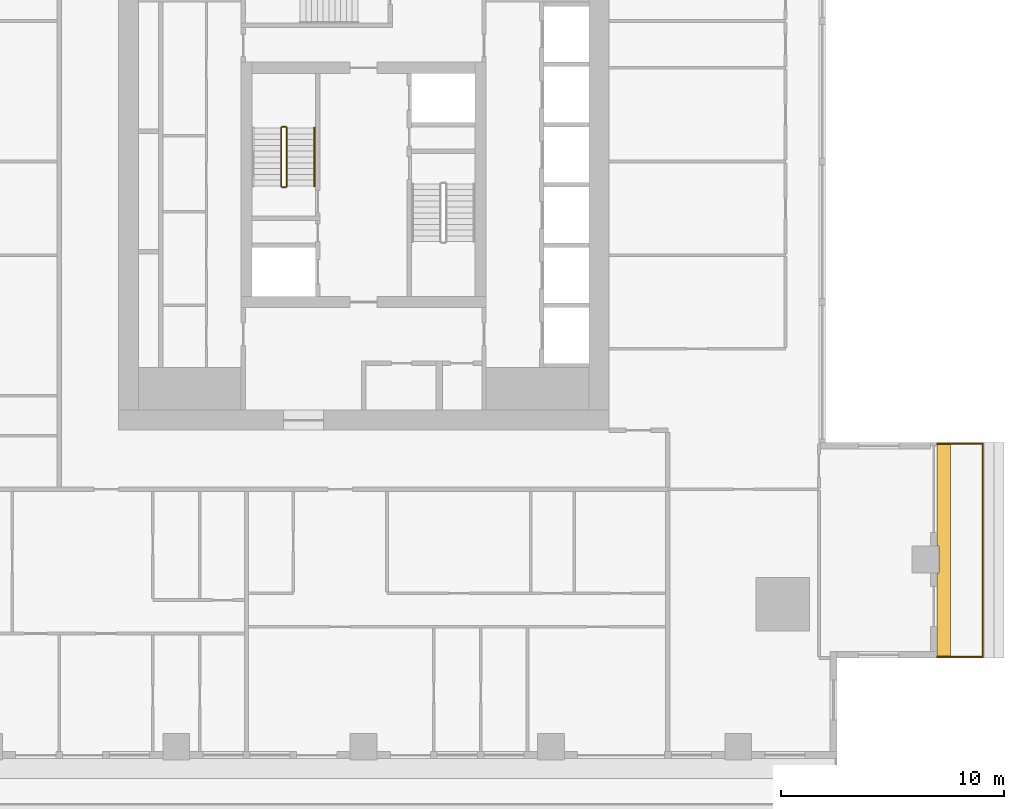
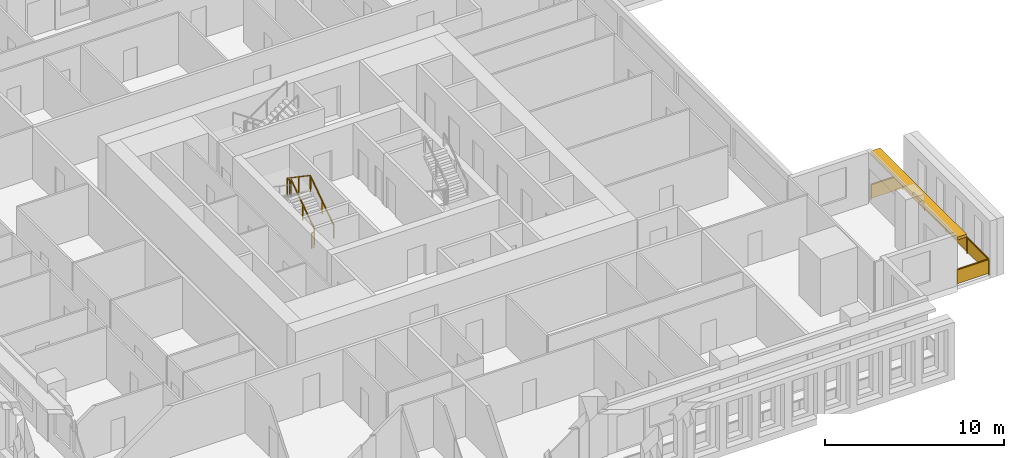
# One storey, part 12 of 15: 6 railings, 1 shading device.
"""IFC4 building model written with IfcOpenShell, lengths in metres."""

from ifc_helpers import new_model, si_unit, direction, frame, origin, origin_2d, place, context, subcontext, project, spatial, polyline, rectangle, outline, extrude, material, layer, layer_set, type_object, element, save


model = new_model("IFC4")

# Units and contexts
model_context = context("Model", 3, precision=1e-05, world=origin(), true_north=direction((0.0, 1.0)))
body_context = subcontext(model_context, "Body", "Model", "MODEL_VIEW")
ifc_project = project(units=[si_unit("LENGTHUNIT", "METRE"), si_unit("AREAUNIT", "SQUARE_METRE"), si_unit("VOLUMEUNIT", "CUBIC_METRE"), si_unit("PLANEANGLEUNIT", "RADIAN"), si_unit("MASSUNIT", "GRAM", prefix="KILO")], contexts=[model_context])

# Site, building, storey
site_placement = place(None, origin())
site = spatial("IfcSite", under=ifc_project, at=site_placement, CompositionType="ELEMENT")
building_placement = place(site_placement, origin())
building = spatial("IfcBuilding", under=site, at=building_placement, Name="Khepri Terraces", CompositionType="ELEMENT")
storey_placement = place(building_placement, frame((0.0, 0.0, 223.5)))
storey = spatial("IfcBuildingStorey", under=building, at=storey_placement, Name="L53", CompositionType="ELEMENT", Elevation=223.5)

# Railings
ifc_material_1 = material(Name="Stainless steel grade 316", Category="steel")
railing_type_1 = type_object("IfcRailingType", Name="GRD-BAL-1100", PredefinedType="GUARDRAIL", material=ifc_material_1)
railing_1_placement = place(storey_placement, frame((25.719970703125, -21.169921875, 0.0)))
element("IfcRailing", 1, at=railing_1_placement, inside=storey, type_object=railing_type_1, Name="Balcony guard L53 E", PredefinedType="GUARDRAIL", context=body_context, shape_type="SweptSolid", body=[
    extrude(rectangle(XDim=0.050048828125, YDim=0.06005859375, at=origin_2d()), frame((0.0, 0.0, 1.070068359375), z_axis=(1.0, 0.0, 0.0), x_axis=(0.0, 1.0, 0.0)), (0.0, 0.0, 1.0), 2.050048828125),
    extrude(rectangle(XDim=2.0, YDim=0.011962890625, at=origin_2d()), frame((1.02490234375, 0.0, 0.10009765625), z_axis=(0.0, 0.0, 1.0), x_axis=(1.0, 0.0, 0.0)), (0.0, 0.0, 1.0), 0.93994140625),
    extrude(rectangle(XDim=0.050048828125, YDim=0.06005859375, at=origin_2d()), frame((2.050048828125, 0.0, 1.070068359375), z_axis=(0.0, 1.0, 0.0), x_axis=(-1.0, 0.0, 0.0)), (0.0, 0.0, 1.0), 9.56982421875),
    extrude(rectangle(XDim=2.34228515625, YDim=0.011962890625, at=origin_2d()), frame((2.050048828125, 1.1962890625, 0.10009765625), z_axis=(0.0, 0.0, 1.0), x_axis=(0.0, 1.0, 0.0)), (0.0, 0.0, 1.0), 0.93994140625),
    extrude(rectangle(XDim=2.34228515625, YDim=0.011962890625, at=origin_2d()), frame((2.050048828125, 3.588623046875, 0.10009765625), z_axis=(0.0, 0.0, 1.0), x_axis=(0.0, 1.0, 0.0)), (0.0, 0.0, 1.0), 0.93994140625),
    extrude(rectangle(XDim=2.34228515625, YDim=0.011962890625, at=origin_2d()), frame((2.050048828125, 5.981201171875, 0.10009765625), z_axis=(0.0, 0.0, 1.0), x_axis=(0.0, 1.0, 0.0)), (0.0, 0.0, 1.0), 0.93994140625),
    extrude(rectangle(XDim=2.34228515625, YDim=0.011962890625, at=origin_2d()), frame((2.050048828125, 8.37353515625, 0.10009765625), z_axis=(0.0, 0.0, 1.0), x_axis=(0.0, 1.0, 0.0)), (0.0, 0.0, 1.0), 0.93994140625),
    extrude(rectangle(XDim=0.050048828125, YDim=0.06005859375, at=origin_2d()), frame((2.050048828125, 9.56982421875, 1.070068359375), z_axis=(-1.0, 0.0, 0.0), x_axis=(0.0, -1.0, 0.0)), (0.0, 0.0, 1.0), 2.050048828125),
    extrude(rectangle(XDim=2.0, YDim=0.011962890625, at=origin_2d()), frame((1.02490234375, 9.56982421875, 0.10009765625), z_axis=(0.0, 0.0, 1.0), x_axis=(-1.0, 0.0, 0.0)), (0.0, 0.0, 1.0), 0.93994140625),
    extrude(rectangle(XDim=0.050048828125, YDim=0.050048828125, at=origin_2d()), origin(), (0.0, 0.0, 1.0), 1.0400390625),
    extrude(rectangle(XDim=0.050048828125, YDim=0.050048828125, at=origin_2d()), frame((2.050048828125, 0.0, 0.0)), (0.0, 0.0, 1.0), 1.0400390625),
    extrude(rectangle(XDim=0.050048828125, YDim=0.050048828125, at=origin_2d()), frame((2.050048828125, 2.392578125, 0.0)), (0.0, 0.0, 1.0), 1.0400390625),
    extrude(rectangle(XDim=0.050048828125, YDim=0.050048828125, at=origin_2d()), frame((2.050048828125, 4.784912109375, 0.0)), (0.0, 0.0, 1.0), 1.0400390625),
    extrude(rectangle(XDim=0.050048828125, YDim=0.050048828125, at=origin_2d()), frame((2.050048828125, 7.17724609375, 0.0)), (0.0, 0.0, 1.0), 1.0400390625),
    extrude(rectangle(XDim=0.050048828125, YDim=0.050048828125, at=origin_2d()), frame((2.050048828125, 9.56982421875, 0.0)), (0.0, 0.0, 1.0), 1.0400390625),
    extrude(rectangle(XDim=0.050048828125, YDim=0.050048828125, at=origin_2d()), frame((0.0, 9.56982421875, 0.0)), (0.0, 0.0, 1.0), 1.0400390625),
])
ifc_material_2 = material(Name="Stainless steel 316", Category="steel")
railing_type_2 = type_object("IfcRailingType", Name="RL-CORE-GUARD", PredefinedType="GUARDRAIL", material=ifc_material_2)
railing_2_placement = place(storey_placement, frame((-3.449951171875, -0.050048828125, 0.17724609375)))
element("IfcRailing", 2, at=railing_2_placement, inside=storey, type_object=railing_type_2, Name="L53 ST-1 stair guard 1", PredefinedType="GUARDRAIL", context=body_context, shape_type="SweptSolid", body=[
    extrude(rectangle(XDim=0.050048828125, YDim=0.06005859375, at=origin_2d()), frame((0.0, 0.0, 1.070068359375), z_axis=(0.0, 0.826240473404, 0.563317565952), x_axis=(-1.0, 0.0, 0.0)), (0.0, 0.0, 1.0), 3.14697265625),
    extrude(rectangle(XDim=0.050048828125, YDim=0.050048828125, at=origin_2d()), origin(), (0.0, 0.0, 1.0), 1.0400390625),
    extrude(rectangle(XDim=0.050048828125, YDim=0.050048828125, at=origin_2d()), frame((0.0, 1.300048828125, 0.88623046875)), (0.0, 0.0, 1.0), 1.0400390625),
    extrude(rectangle(XDim=0.050048828125, YDim=0.050048828125, at=origin_2d()), frame((0.0, 2.60009765625, 1.772705078125)), (0.0, 0.0, 1.0), 1.0400390625),
])
railing_3_placement = place(storey_placement, frame((-3.5, 2.60009765625, 1.949951171875)))
element("IfcRailing", 3, at=railing_3_placement, inside=storey, type_object=railing_type_2, Name="L53 ST-1 stair guard 2", PredefinedType="GUARDRAIL", context=body_context, shape_type="SweptSolid", body=[
    extrude(rectangle(XDim=0.050048828125, YDim=0.06005859375, at=origin_2d()), frame((0.0, 0.0, 1.070068359375), z_axis=(-1.0, 0.0, 0.0), x_axis=(0.0, -1.0, 0.0)), (0.0, 0.0, 1.0), 0.14990234375),
    extrude(rectangle(XDim=0.050048828125, YDim=0.050048828125, at=origin_2d()), origin(), (0.0, 0.0, 1.0), 1.0400390625),
    extrude(rectangle(XDim=0.050048828125, YDim=0.050048828125, at=origin_2d()), frame((-0.14990234375, 0.0, 0.0)), (0.0, 0.0, 1.0), 1.0400390625),
])
railing_4_placement = place(storey_placement, frame((-3.699951171875, 2.550048828125, 2.127197265625)))
element("IfcRailing", 4, at=railing_4_placement, inside=storey, type_object=railing_type_2, Name="L53 ST-1 stair guard 3", PredefinedType="GUARDRAIL", context=body_context, shape_type="SweptSolid", body=[
    extrude(rectangle(XDim=0.050048828125, YDim=0.06005859375, at=origin_2d()), frame((0.0, 0.0, 1.070068359375), z_axis=(0.0, -0.826240473404, 0.563317565952), x_axis=(1.0, 0.0, 0.0)), (0.0, 0.0, 1.0), 3.14697265625),
    extrude(rectangle(XDim=0.050048828125, YDim=0.050048828125, at=origin_2d()), origin(), (0.0, 0.0, 1.0), 1.0400390625),
    extrude(rectangle(XDim=0.050048828125, YDim=0.050048828125, at=origin_2d()), frame((0.0, -1.300048828125, 0.88623046875)), (0.0, 0.0, 1.0), 1.0400390625),
    extrude(rectangle(XDim=0.050048828125, YDim=0.050048828125, at=origin_2d()), frame((0.0, -2.60009765625, 1.772705078125)), (0.0, 0.0, 1.0), 1.0400390625),
])
railing_5_placement = place(storey_placement, frame((-3.5, -0.10009765625, 0.0)))
element("IfcRailing", 5, at=railing_5_placement, inside=storey, type_object=railing_type_2, Name="L53 ST-1 stair guard 4", PredefinedType="GUARDRAIL", context=body_context, shape_type="SweptSolid", body=[
    extrude(rectangle(XDim=0.050048828125, YDim=0.06005859375, at=origin_2d()), frame((0.0, 0.0, 1.070068359375), z_axis=(-1.0, 0.0, 0.0), x_axis=(0.0, -1.0, 0.0)), (0.0, 0.0, 1.0), 0.14990234375),
    extrude(rectangle(XDim=0.050048828125, YDim=0.050048828125, at=origin_2d()), origin(), (0.0, 0.0, 1.0), 1.0400390625),
    extrude(rectangle(XDim=0.050048828125, YDim=0.050048828125, at=origin_2d()), frame((-0.14990234375, 0.0, 0.0)), (0.0, 0.0, 1.0), 1.0400390625),
])
railing_type_3 = type_object("IfcRailingType", Name="RL-CORE-HANDRAIL", PredefinedType="HANDRAIL", material=ifc_material_2)
railing_6_placement = place(storey_placement, frame((-2.199951171875, -0.050048828125, 0.17724609375)))
element("IfcRailing", 6, at=railing_6_placement, inside=storey, type_object=railing_type_3, Name="L53 ST-1 stair handrail 1", PredefinedType="HANDRAIL", context=body_context, shape_type="SweptSolid", body=[
    extrude(rectangle(XDim=0.050048828125, YDim=0.050048828125, at=origin_2d()), frame((0.0, 0.0, 0.875), z_axis=(0.0, 0.826240473404, 0.563317565952), x_axis=(-1.0, 0.0, 0.0)), (0.0, 0.0, 1.0), 3.14697265625),
    extrude(rectangle(XDim=0.050048828125, YDim=0.050048828125, at=origin_2d()), origin(), (0.0, 0.0, 1.0), 0.849853515625),
    extrude(rectangle(XDim=0.050048828125, YDim=0.050048828125, at=origin_2d()), frame((0.0, 1.300048828125, 0.88623046875)), (0.0, 0.0, 1.0), 0.849853515625),
    extrude(rectangle(XDim=0.050048828125, YDim=0.050048828125, at=origin_2d()), frame((0.0, 2.60009765625, 1.772705078125)), (0.0, 0.0, 1.0), 0.849853515625),
])

# Shading device
ifc_material_3 = material(Name="Precast concrete C50/60 warm stone", Category="masonry")
ifc_layer = layer(ifc_material_3, 0.199951171875, Name="Precast concrete C50/60 warm stone", Category="masonry")
ifc_layer_set = layer_set([ifc_layer], Name="Precast concrete C50/60 warm stone")
shading_device_type = type_object("IfcShadingDeviceType", Name="SSH-BAND-STONE-200-N", PredefinedType="USERDEFINED", material=ifc_layer_set)
shading_device_placement = place(storey_placement, frame((0.0, 0.0, 3.10009765625)))
element("IfcShadingDevice", 7, at=shading_device_placement, inside=storey, type_object=shading_device_type, Name="Sunshade band L53 E", ObjectType="SUNSHADE", PredefinedType="USERDEFINED", context=body_context, shape_type="SweptSolid", body=[
    extrude(outline(polyline([(25.719970703125, -17.39990234375), (25.719970703125, -21.219970703125), (26.320068359375, -21.219970703125), (26.320068359375, -11.550048828125), (25.719970703125, -11.550048828125), (25.719970703125, -16.199951171875), (25.800048828125, -16.199951171875), (25.800048828125, -17.39990234375), (25.719970703125, -17.39990234375)])), origin(), (0.0, 0.0, 1.0), 0.199951171875),
])

save(model, "model.ifc")
